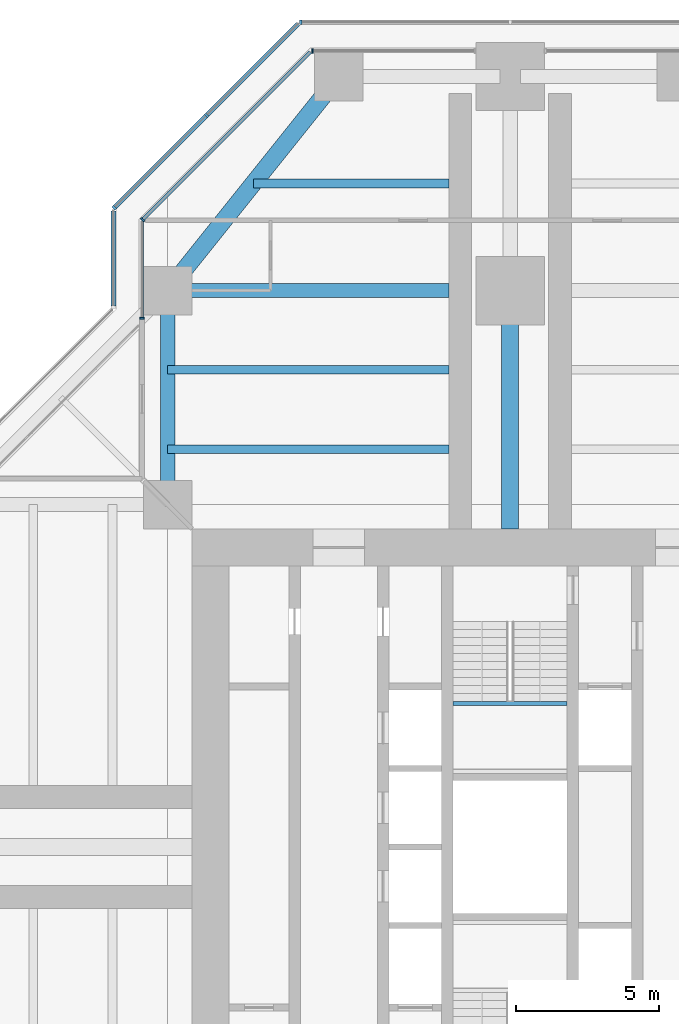
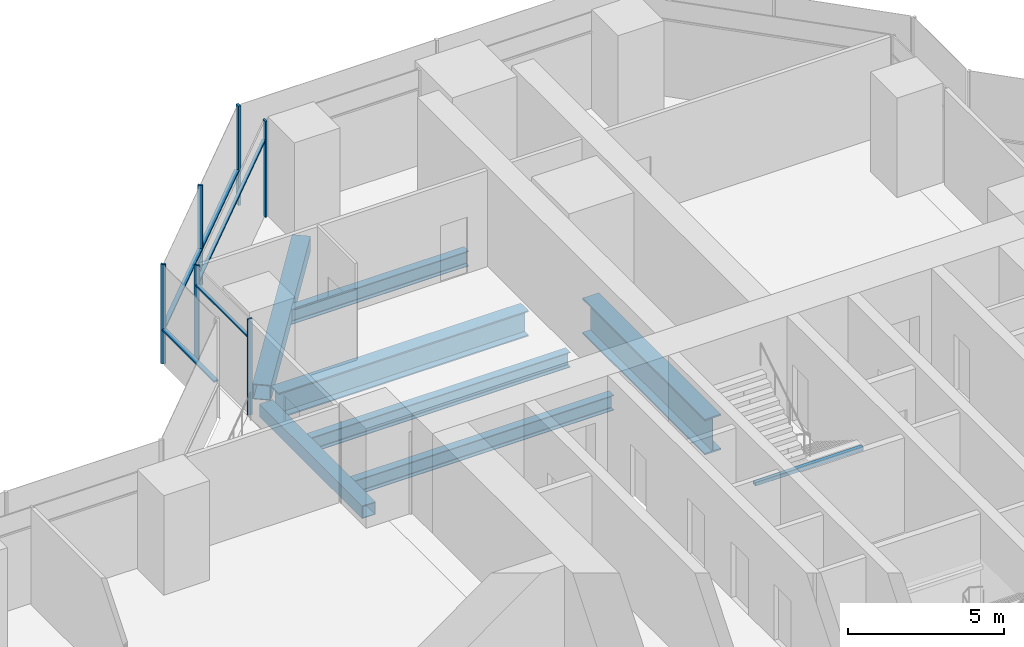
# One storey, part 8 of 19: 11 members, 8 beams, 6 elements without a shape of their own.
"""IFC4 building model written with IfcOpenShell, lengths in metres."""

from ifc_helpers import new_model, si_unit, direction, frame, origin, origin_2d, place, context, subcontext, project, spatial, rectangle, hollow_rectangle, i_section, extrude, material, material_profile, profile_set, type_object, element, aggregate, save


model = new_model("IFC4")

# Units and contexts
model_context = context("Model", 3, precision=1e-05, world=origin(), true_north=direction((0.0, 1.0)))
body_context = subcontext(model_context, "Body", "Model", "MODEL_VIEW")
ifc_project = project(units=[si_unit("LENGTHUNIT", "METRE"), si_unit("AREAUNIT", "SQUARE_METRE"), si_unit("VOLUMEUNIT", "CUBIC_METRE"), si_unit("PLANEANGLEUNIT", "RADIAN"), si_unit("MASSUNIT", "GRAM", prefix="KILO")], contexts=[model_context])

# Site, building, storey
site_placement = place(None, origin())
site = spatial("IfcSite", under=ifc_project, at=site_placement, CompositionType="ELEMENT")
building_placement = place(site_placement, origin())
building = spatial("IfcBuilding", under=site, at=building_placement, Name="Mizan Broadcast Tower", CompositionType="ELEMENT")
storey_placement = place(building_placement, frame((0.0, 0.0, 182.699951171875)))
storey = spatial("IfcBuildingStorey", under=building, at=storey_placement, Name="L42", CompositionType="ELEMENT", Elevation=182.699951171875)

# Beams
ifc_material_1 = material(Name="Steel S355", Category="steel")
ifc_material_profile_1 = material_profile(ifc_material_1, hollow_rectangle(XDim=0.5, YDim=0.5, WallThickness=0.030029296875, at=origin_2d()), Name="BOX 500x500x30")
ifc_profile_set_1 = profile_set([ifc_material_profile_1], Name="Steel S355")
beam_type_1 = type_object("IfcBeamType", Name="EDGE BEAM BOX 500x500x30", PredefinedType="SPANDREL", material=ifc_profile_set_1)
beam_1_placement = place(storey_placement, frame((-12.0, 12.449951171875, -0.3798828125), z_axis=(0.0, 1.0, 0.0), x_axis=(-1.0, 0.0, 0.0)))
element("IfcBeam", 1, at=beam_1_placement, inside=storey, type_object=beam_type_1, Name="Edge beam BOX 500x500x30 L42 north arm", PredefinedType="SPANDREL", context=body_context, shape_type="SweptSolid", body=[
    extrude(hollow_rectangle(XDim=0.5, YDim=0.5, WallThickness=0.030029296875, at=origin_2d()), origin(), (0.0, 0.0, 1.0), 6.60009765625),
])
ifc_material_2 = material(Name="Steel S355", Category="steel")
ifc_material_profile_2 = material_profile(ifc_material_2, hollow_rectangle(XDim=0.60009765625, YDim=0.60009765625, WallThickness=0.030029296875, at=origin_2d()), Name="BOX 600x600x30")
ifc_profile_set_2 = profile_set([ifc_material_profile_2], Name="Steel S355")
beam_type_2 = type_object("IfcBeamType", Name="EDGE BEAM BOX 600x600x30", PredefinedType="SPANDREL", material=ifc_profile_set_2)
beam_2_placement = place(storey_placement, frame((-11.639892578125, 19.949951171875, -0.429931640625), z_axis=(0.624673911726, 0.780885717636, 0.0), x_axis=(-0.780885717636, 0.624673911726, 0.0)))
element("IfcBeam", 2, at=beam_2_placement, inside=storey, type_object=beam_type_2, Name="Edge beam BOX 600x600x30 L42 north arm", PredefinedType="SPANDREL", context=body_context, shape_type="SweptSolid", body=[
    extrude(hollow_rectangle(XDim=0.60009765625, YDim=0.60009765625, WallThickness=0.030029296875, at=origin_2d()), origin(), (0.0, 0.0, 1.0), 8.4521484375),
])
ifc_material_3 = material(Name="Steel S460", Category="steel")
ifc_material_profile_3 = material_profile(ifc_material_3, i_section(OverallWidth=0.5, OverallDepth=1.0, WebThickness=0.02490234375, FlangeThickness=0.050048828125, at=origin_2d()), Name="WPG 1000x500")
ifc_profile_set_3 = profile_set([ifc_material_profile_3], Name="Steel S460")
beam_type_3 = type_object("IfcBeamType", Name="GIRDER WPG 1000x500", PredefinedType="BEAM", material=ifc_profile_set_3)
beam_3_placement = place(storey_placement, frame((-11.408935546875, 19.5, -0.6298828125), z_axis=(1.0, 0.0, 0.0), x_axis=(0.0, 1.0, 0.0)))
element("IfcBeam", 3, at=beam_3_placement, inside=storey, type_object=beam_type_3, Name="Girder WPG 1000x500 L42 north arm", PredefinedType="BEAM", context=body_context, shape_type="SweptSolid", body=[
    extrude(i_section(OverallWidth=0.5, OverallDepth=1.0, WebThickness=0.02490234375, FlangeThickness=0.050048828125, at=origin_2d()), origin(), (0.0, 0.0, 1.0), 9.259033203125),
])
ifc_material_4 = material(Name="Steel S460", Category="steel")
ifc_material_profile_4 = material_profile(ifc_material_4, i_section(OverallWidth=0.60009765625, OverallDepth=1.39990234375, WebThickness=0.02490234375, FlangeThickness=0.06005859375, at=origin_2d()), Name="WPG 1400x600")
ifc_profile_set_4 = profile_set([ifc_material_profile_4], Name="Steel S460")
beam_type_4 = type_object("IfcBeamType", Name="GIRDER WPG 1400x600", PredefinedType="BEAM", material=ifc_profile_set_4)
beam_4_placement = place(storey_placement, frame((0.0, 11.14990234375, -0.829833984375), z_axis=(0.0, 1.0, 0.0), x_axis=(-1.0, 0.0, 0.0)))
element("IfcBeam", 4, at=beam_4_placement, inside=storey, type_object=beam_type_4, Name="Girder WPG 1400x600 L42 north arm", PredefinedType="BEAM", context=body_context, shape_type="SweptSolid", body=[
    extrude(i_section(OverallWidth=0.60009765625, OverallDepth=1.39990234375, WebThickness=0.02490234375, FlangeThickness=0.06005859375, at=origin_2d()), origin(), (0.0, 0.0, 1.0), 7.84912109375),
])

# Curtain wall, member
ifc_material_5 = material(Name="Aluminium framed glazing", Category="aluminium")
curtain_wall_type_1 = type_object("IfcCurtainWallType", Name="INNER SKIN MID ZONE", PredefinedType="USERDEFINED", material=ifc_material_5)
curtain_wall_1_placement = place(storey_placement, origin())
curtain_wall_1 = element("IfcCurtainWall", 5, at=curtain_wall_1_placement, inside=storey, type_object=curtain_wall_type_1, Name="Inner skin mid zone L42 N end", ObjectType="INNER SKIN MID ZONE", PredefinedType="USERDEFINED")
ifc_material_6 = material(Name="Aluminium, pale anodised", Category="aluminium")
ifc_material_profile_5 = material_profile(ifc_material_6, rectangle(XDim=0.159912109375, YDim=0.06005859375, at=origin_2d()), Name="MULLION 160x60")
ifc_profile_set_5 = profile_set([ifc_material_profile_5], Name="Aluminium, pale anodised")
member_type_1 = type_object("IfcMemberType", Name="INNER SKIN MULLION 60x160", PredefinedType="MULLION", material=ifc_profile_set_5)
member_1_placement = place(storey_placement, frame((-6.928466796875, 27.89990234375, 0.0), z_axis=(0.0, 0.0, 1.0), x_axis=(0.0, -1.0, 0.0)))
member_1 = element("IfcMember", 6, at=member_1_placement, type_object=member_type_1, Name="Inner skin mid zone L42 N end mullion 2", PredefinedType="MULLION", context=body_context, shape_type="SweptSolid", body=[
    extrude(rectangle(XDim=0.159912109375, YDim=0.06005859375, at=origin_2d()), origin(), (0.0, 0.0, 1.0), 3.77001953125),
])
aggregate(curtain_wall_1, [member_1])

curtain_wall_2_placement = place(storey_placement, origin())
curtain_wall_2 = element("IfcCurtainWall", 7, at=curtain_wall_2_placement, inside=storey, type_object=curtain_wall_type_1, Name="Inner skin mid zone L42 N chamfer", ObjectType="INNER SKIN MID ZONE", PredefinedType="USERDEFINED")
member_2_placement = place(storey_placement, frame((-12.87890625, 21.979736328125, 0.0), z_axis=(0.0, 0.0, 1.0), x_axis=(0.707106781187, -0.707106781187, 0.0)))
member_2 = element("IfcMember", 8, at=member_2_placement, type_object=member_type_1, Name="Inner skin mid zone L42 N chamfer mullion 2", PredefinedType="MULLION", context=body_context, shape_type="SweptSolid", body=[
    extrude(rectangle(XDim=0.159912109375, YDim=0.06005859375, at=origin_2d()), origin(), (0.0, 0.0, 1.0), 3.77001953125),
])

curtain_wall_3_placement = place(storey_placement, origin())
curtain_wall_3 = element("IfcCurtainWall", 9, at=curtain_wall_3_placement, inside=storey, type_object=curtain_wall_type_1, Name="Inner skin mid zone L42 N side", ObjectType="INNER SKIN MID ZONE", PredefinedType="USERDEFINED")
member_3_placement = place(storey_placement, frame((-12.89990234375, 18.530029296875, 0.0), z_axis=(0.0, 0.0, 1.0), x_axis=(1.0, 0.0, 0.0)))
member_3 = element("IfcMember", 10, at=member_3_placement, type_object=member_type_1, Name="Inner skin mid zone L42 N side mullion 2", PredefinedType="MULLION", context=body_context, shape_type="SweptSolid", body=[
    extrude(rectangle(XDim=0.159912109375, YDim=0.06005859375, at=origin_2d()), origin(), (0.0, 0.0, 1.0), 3.77001953125),
])

# Member
ifc_material_7 = material(Name="Aluminium, pale anodised", Category="aluminium")
ifc_material_profile_6 = material_profile(ifc_material_7, rectangle(XDim=0.1201171875, YDim=0.06005859375, at=origin_2d()), Name="TRANSOM 120x60")
ifc_profile_set_6 = profile_set([ifc_material_profile_6], Name="Aluminium, pale anodised")
member_type_2 = type_object("IfcMemberType", Name="INNER SKIN TRANSOM 60x120", PredefinedType="USERDEFINED", material=ifc_profile_set_6)
member_4_placement = place(storey_placement, frame((-7.0009765625, 27.857666015625, 3.030029296875), z_axis=(-0.707106781187, -0.707106781187, 0.0), x_axis=(0.707106781187, -0.707106781187, 0.0)))
member_4 = element("IfcMember", 11, at=member_4_placement, type_object=member_type_2, Name="Inner skin mid zone L42 N chamfer transom 1.1", ObjectType="TRANSOM", PredefinedType="USERDEFINED", context=body_context, shape_type="SweptSolid", body=[
    extrude(rectangle(XDim=0.1201171875, YDim=0.06005859375, at=origin_2d()), origin(), (0.0, 0.0, 1.0), 8.28271484375),
])

aggregate(curtain_wall_2, [member_2, member_4])

member_5_placement = place(storey_placement, frame((-12.89990234375, 21.898681640625, 3.030029296875), z_axis=(0.0, -1.0, 0.0), x_axis=(1.0, 0.0, 0.0)))
member_5 = element("IfcMember", 12, at=member_5_placement, type_object=member_type_2, Name="Inner skin mid zone L42 N side transom 1.1", ObjectType="TRANSOM", PredefinedType="USERDEFINED", context=body_context, shape_type="SweptSolid", body=[
    extrude(rectangle(XDim=0.1201171875, YDim=0.06005859375, at=origin_2d()), origin(), (0.0, 0.0, 1.0), 3.338623046875),
])

aggregate(curtain_wall_3, [member_3, member_5])

# Beam
ifc_material_8 = material(Name="Steel S355", Category="steel")
ifc_material_profile_7 = material_profile(ifc_material_8, hollow_rectangle(XDim=0.14990234375, YDim=0.14990234375, WallThickness=0.008056640625, InnerFilletRadius=0.008056640625, OuterFilletRadius=0.011962890625, at=origin_2d()), Name="SHS 150x150x8")
ifc_profile_set_7 = profile_set([ifc_material_profile_7], Name="Steel S355")
beam_type_5 = type_object("IfcBeamType", Name="LANDING TRIMMER SHS 150x150x8", PredefinedType="BEAM", material=ifc_profile_set_7)
beam_5_placement = place(storey_placement, frame((2.0, 5.02490234375, 1.675048828125), z_axis=(-1.0, 0.0, 0.0), x_axis=(0.0, -1.0, 0.0)))
element("IfcBeam", 13, at=beam_5_placement, inside=storey, type_object=beam_type_5, Name="Stair B landing trimmer L42", PredefinedType="BEAM", context=body_context, shape_type="SweptSolid", body=[
    extrude(hollow_rectangle(XDim=0.14990234375, YDim=0.14990234375, WallThickness=0.008056640625, InnerFilletRadius=0.008056640625, OuterFilletRadius=0.011962890625, at=origin_2d()), origin(), (0.0, 0.0, 1.0), 4.0),
])

# Curtain wall, member
ifc_material_9 = material(Name="Aluminium framed glazing", Category="aluminium")
curtain_wall_type_2 = type_object("IfcCurtainWallType", Name="OUTER SKIN", PredefinedType="USERDEFINED", material=ifc_material_9)
curtain_wall_4_placement = place(storey_placement, origin())
curtain_wall_4 = element("IfcCurtainWall", 14, at=curtain_wall_4_placement, inside=storey, type_object=curtain_wall_type_2, Name="Outer skin L42 N end", ObjectType="OUTER SKIN", PredefinedType="USERDEFINED")
ifc_material_10 = material(Name="Aluminium, pale anodised", Category="aluminium")
ifc_material_profile_8 = material_profile(ifc_material_10, rectangle(XDim=0.159912109375, YDim=0.080078125, at=origin_2d()), Name="MULLION 160x80")
ifc_profile_set_8 = profile_set([ifc_material_profile_8], Name="Aluminium, pale anodised")
member_type_3 = type_object("IfcMemberType", Name="OUTER SKIN MULLION 80x160", PredefinedType="MULLION", material=ifc_profile_set_8)
member_6_placement = place(storey_placement, frame((-7.332763671875, 28.89990234375, 0.0), z_axis=(0.0, 0.0, 1.0), x_axis=(0.0, -1.0, 0.0)))
member_6 = element("IfcMember", 15, at=member_6_placement, type_object=member_type_3, Name="Outer skin L42 N end mullion 3", PredefinedType="MULLION", context=body_context, shape_type="SweptSolid", body=[
    extrude(rectangle(XDim=0.159912109375, YDim=0.080078125, at=origin_2d()), origin(), (0.0, 0.0, 1.0), 3.900146484375),
])
aggregate(curtain_wall_4, [member_6])

# Curtain wall, members
curtain_wall_5_placement = place(storey_placement, origin())
curtain_wall_5 = element("IfcCurtainWall", 16, at=curtain_wall_5_placement, inside=storey, type_object=curtain_wall_type_2, Name="Outer skin L42 N chamfer", ObjectType="OUTER SKIN", PredefinedType="USERDEFINED")
member_7_placement = place(storey_placement, frame((-10.636474609375, 25.636474609375, 0.0), z_axis=(0.0, 0.0, 1.0), x_axis=(0.707106781187, -0.707106781187, 0.0)))
member_7 = element("IfcMember", 17, at=member_7_placement, type_object=member_type_3, Name="Outer skin L42 N chamfer mullion 2", PredefinedType="MULLION", context=body_context, shape_type="SweptSolid", body=[
    extrude(rectangle(XDim=0.159912109375, YDim=0.080078125, at=origin_2d()), origin(), (0.0, 0.0, 1.0), 3.900146484375),
])
member_8_placement = place(storey_placement, frame((-13.871826171875, 22.401123046875, 0.0), z_axis=(0.0, 0.0, 1.0), x_axis=(0.707106781187, -0.707106781187, 0.0)))
member_8 = element("IfcMember", 18, at=member_8_placement, type_object=member_type_3, Name="Outer skin L42 N chamfer mullion 3", PredefinedType="MULLION", context=body_context, shape_type="SweptSolid", body=[
    extrude(rectangle(XDim=0.159912109375, YDim=0.080078125, at=origin_2d()), origin(), (0.0, 0.0, 1.0), 3.900146484375),
])
ifc_material_11 = material(Name="Aluminium, pale anodised", Category="aluminium")
ifc_material_profile_9 = material_profile(ifc_material_11, rectangle(XDim=0.159912109375, YDim=0.06005859375, at=origin_2d()), Name="TRANSOM 160x60")
ifc_profile_set_9 = profile_set([ifc_material_profile_9], Name="Aluminium, pale anodised")
member_type_4 = type_object("IfcMemberType", Name="OUTER SKIN TRANSOM 60x160", PredefinedType="USERDEFINED", material=ifc_profile_set_9)
member_9_placement = place(storey_placement, frame((-7.429443359375, 28.843505859375, 1.400146484375), z_axis=(-0.707106781187, -0.707106781187, 0.0), x_axis=(0.707106781187, -0.707106781187, 0.0)))
member_9 = element("IfcMember", 19, at=member_9_placement, type_object=member_type_4, Name="Outer skin L42 N chamfer transom 1.1", ObjectType="TRANSOM", PredefinedType="USERDEFINED", context=body_context, shape_type="SweptSolid", body=[
    extrude(rectangle(XDim=0.159912109375, YDim=0.06005859375, at=origin_2d()), origin(), (0.0, 0.0, 1.0), 4.495361328125),
])
member_10_placement = place(storey_placement, frame((-10.664794921875, 25.608154296875, 1.400146484375), z_axis=(-0.707106781187, -0.707106781187, 0.0), x_axis=(0.707106781187, -0.707106781187, 0.0)))
member_10 = element("IfcMember", 20, at=member_10_placement, type_object=member_type_4, Name="Outer skin L42 N chamfer transom 2.1", ObjectType="TRANSOM", PredefinedType="USERDEFINED", context=body_context, shape_type="SweptSolid", body=[
    extrude(rectangle(XDim=0.159912109375, YDim=0.06005859375, at=origin_2d()), origin(), (0.0, 0.0, 1.0), 4.495361328125),
])
aggregate(curtain_wall_5, [member_7, member_8, member_9, member_10])

# Curtain wall, member
curtain_wall_6_placement = place(storey_placement, origin())
curtain_wall_6 = element("IfcCurtainWall", 21, at=curtain_wall_6_placement, inside=storey, type_object=curtain_wall_type_2, Name="Outer skin L42 N side", ObjectType="OUTER SKIN", PredefinedType="USERDEFINED")
member_11_placement = place(storey_placement, frame((-13.89990234375, 22.292724609375, 1.400146484375), z_axis=(0.0, -1.0, 0.0), x_axis=(1.0, 0.0, 0.0)))
member_11 = element("IfcMember", 22, at=member_11_placement, type_object=member_type_4, Name="Outer skin L42 N side transom 1.1", ObjectType="TRANSOM", PredefinedType="USERDEFINED", context=body_context, shape_type="SweptSolid", body=[
    extrude(rectangle(XDim=0.159912109375, YDim=0.06005859375, at=origin_2d()), origin(), (0.0, 0.0, 1.0), 3.33984375),
])
aggregate(curtain_wall_6, [member_11])

# Beams
ifc_material_12 = material(Name="Steel S355", Category="steel")
ifc_material_profile_10 = material_profile(ifc_material_12, i_section(OverallWidth=0.300048828125, OverallDepth=0.590087890625, WebThickness=0.012939453125, FlangeThickness=0.02490234375, FilletRadius=0.027099609375, at=origin_2d()), Name="HEA 600")
ifc_profile_set_10 = profile_set([ifc_material_profile_10], Name="Steel S355")
beam_type_6 = type_object("IfcBeamType", Name="SECONDARY BEAM HEA 600", PredefinedType="JOIST", material=ifc_profile_set_10)
for number, where, z_axis, x_axis, name in (
    (23, (-12.0, 13.933349609375, -0.425048828125), (1.0, 0.0, 0.0), (0.0, 1.0, 0.0), "Secondary beam HEA 600 L42 north arm"),
    (24, (-12.0, 16.716552734375, -0.425048828125), (1.0, 0.0, 0.0), (0.0, 1.0, 0.0), "Secondary beam HEA 600 L42 north arm"),
):
    element("IfcBeam", number, at=place(storey_placement, frame(where, z_axis=z_axis, x_axis=x_axis)), inside=storey, type_object=beam_type_6, Name=name, PredefinedType="JOIST", context=body_context, shape_type="SweptSolid", body=[
        extrude(i_section(OverallWidth=0.300048828125, OverallDepth=0.590087890625, WebThickness=0.012939453125, FlangeThickness=0.02490234375, FilletRadius=0.027099609375, at=origin_2d()), origin(), (0.0, 0.0, 1.0), 9.85009765625),
    ])
beam_6_placement = place(storey_placement, frame((-9.0, 23.25, -0.425048828125), z_axis=(1.0, 0.0, 0.0), x_axis=(0.0, 1.0, 0.0)))
element("IfcBeam", 25, at=beam_6_placement, inside=storey, type_object=beam_type_6, Name="Secondary beam HEA 600 L42 north arm", PredefinedType="JOIST", context=body_context, shape_type="SweptSolid", body=[
    extrude(i_section(OverallWidth=0.300048828125, OverallDepth=0.590087890625, WebThickness=0.012939453125, FlangeThickness=0.02490234375, FilletRadius=0.027099609375, at=origin_2d()), origin(), (0.0, 0.0, 1.0), 6.85009765625),
])

save(model, "model.ifc")
